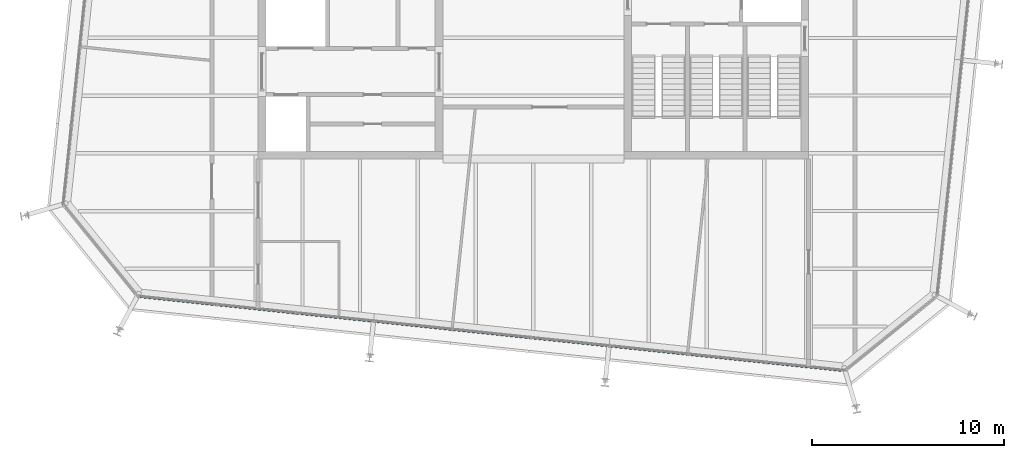
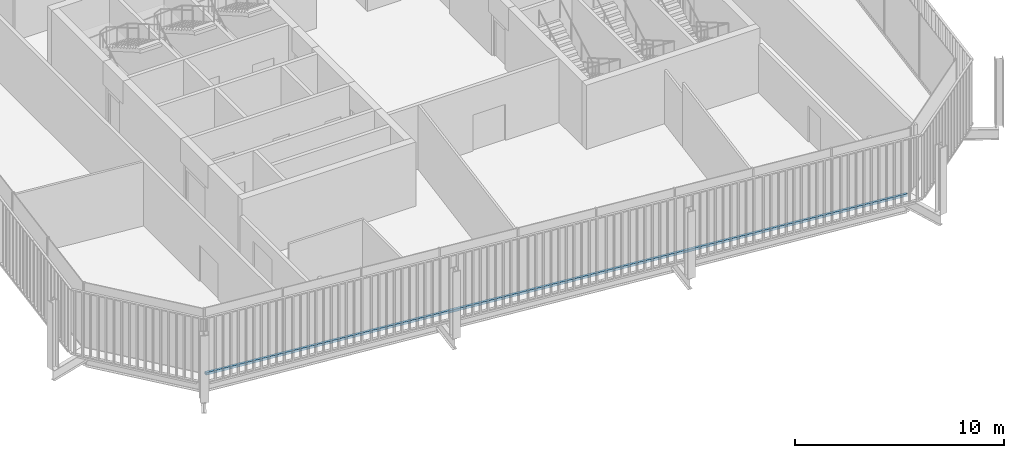
# One storey, part 4 of 20: 1 member, 1 element without a shape of its own.
"""IFC4 building model written with IfcOpenShell, lengths in metres."""

from ifc_helpers import new_model, si_unit, direction, frame, origin, origin_2d, place, context, subcontext, project, spatial, rectangle, extrude, material, layer, layer_set, material_profile, profile_set, type_object, element, aggregate, save


model = new_model("IFC4")

# Units and contexts
model_context = context("Model", 3, precision=1e-05, world=origin(), true_north=direction((0.0, 1.0)))
body_context = subcontext(model_context, "Body", "Model", "MODEL_VIEW")
ifc_project = project(units=[si_unit("LENGTHUNIT", "METRE"), si_unit("AREAUNIT", "SQUARE_METRE"), si_unit("VOLUMEUNIT", "CUBIC_METRE"), si_unit("PLANEANGLEUNIT", "RADIAN"), si_unit("MASSUNIT", "GRAM", prefix="KILO")], contexts=[model_context])

# Site, building, storey
site_placement = place(None, origin())
site = spatial("IfcSite", under=ifc_project, at=site_placement, CompositionType="ELEMENT")
building_placement = place(site_placement, origin())
building = spatial("IfcBuilding", under=site, at=building_placement, Name="Millrace Tower", CompositionType="ELEMENT")
storey_placement = place(building_placement, frame((0.0, 0.0, 303.300048828125)))
storey = spatial("IfcBuildingStorey", under=building, at=storey_placement, Name="L70", CompositionType="ELEMENT", Elevation=303.300048828125)

# Curtain wall, member
ifc_material_1 = material(Name="Aluminium and glass", Category="aluminium")
ifc_layer = layer(ifc_material_1, 0.14990234375)
ifc_layer_set = layer_set([ifc_layer], Name="Aluminium and glass")
curtain_wall_type = type_object("IfcCurtainWallType", Name="CW-1 office vision curtain wall", PredefinedType="NOTDEFINED", material=ifc_layer_set)
curtain_wall_placement = place(storey_placement, origin())
curtain_wall = element("IfcCurtainWall", 1, at=curtain_wall_placement, inside=storey, type_object=curtain_wall_type, Name="Curtain wall E-F02 L70", PredefinedType="NOTDEFINED")
ifc_material_2 = material(Name="Aluminium", Category="aluminium")
ifc_material_profile = material_profile(ifc_material_2, rectangle(XDim=0.14990234375, YDim=0.139892578125, at=origin_2d()))
ifc_profile_set = profile_set([ifc_material_profile], Name="Aluminium")
member_type = type_object("IfcMemberType", Name="CW-1 office vision curtain wall transom", PredefinedType="USERDEFINED", material=ifc_profile_set)
member_placement = place(storey_placement, frame((-20.435302734375, -16.431884765625, 0.070068359375), z_axis=(0.994521952886, -0.104527916025, 0.0), x_axis=(0.104527916025, 0.994521952886, 0.0)))
member = element("IfcMember", 2, at=member_placement, type_object=member_type, Name="CW1 transom E-F02.1", ObjectType="TRANSOM", PredefinedType="USERDEFINED", context=body_context, shape_type="SweptSolid", body=[
    extrude(rectangle(XDim=0.14990234375, YDim=0.139892578125, at=origin_2d()), origin(), (0.0, 0.0, 1.0), 36.699951171875),
])
aggregate(curtain_wall, [member])

save(model, "model.ifc")
